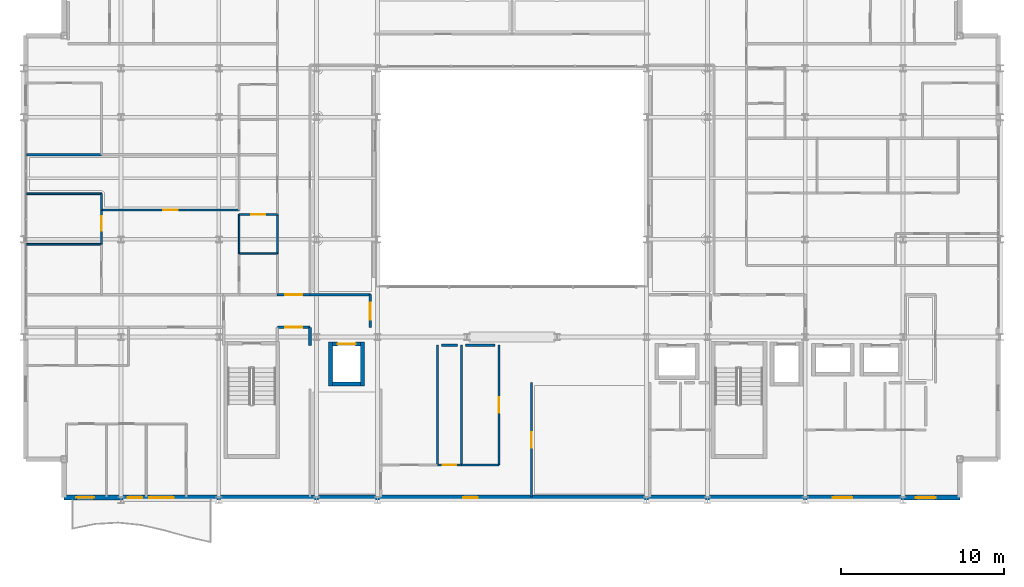
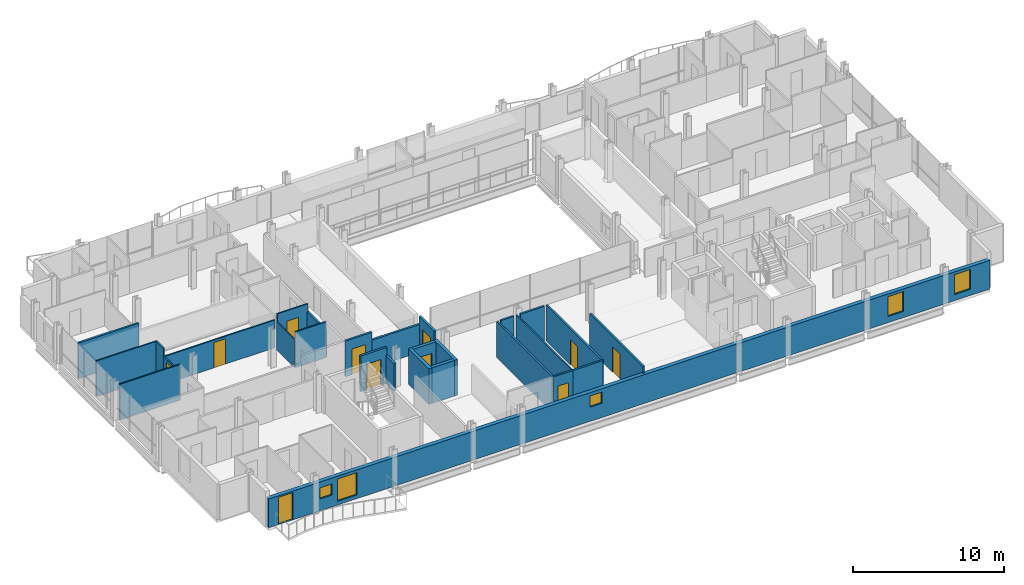
# One storey, part 34 of 41: 28 walls, 11 doors, 5 windows, 16 openings.
"""IFC4 building model written with IfcOpenShell, lengths in metres."""

from ifc_helpers import new_model, si_unit, direction, frame, frame_2d, origin, place, context, subcontext, project, spatial, rectangle, extrude, material, layer, layer_set, type_object, element, fill, save


model = new_model("IFC4")

# Units and contexts
model_context = context("Model", 3, precision=1e-05, world=origin(), true_north=direction((0.0, 1.0)))
body_context = subcontext(model_context, "Body", "Model", "MODEL_VIEW")
ifc_project = project(units=[si_unit("LENGTHUNIT", "METRE"), si_unit("AREAUNIT", "SQUARE_METRE"), si_unit("VOLUMEUNIT", "CUBIC_METRE"), si_unit("PLANEANGLEUNIT", "RADIAN"), si_unit("MASSUNIT", "GRAM", prefix="KILO")], contexts=[model_context])

# Site, building, storey
site_placement = place(None, origin())
site = spatial("IfcSite", under=ifc_project, at=site_placement, CompositionType="ELEMENT")
building_placement = place(site_placement, origin())
building = spatial("IfcBuilding", under=site, at=building_placement, Name="Brevholm Reach", CompositionType="ELEMENT")
storey_placement = place(building_placement, frame((0.0, 0.0, 157.300048828125)))
storey = spatial("IfcBuildingStorey", under=building, at=storey_placement, Name="L47", CompositionType="ELEMENT", Elevation=157.300048828125)

# Walls
ifc_material_1 = material(Name="Concrete C45/55", Category="concrete")
ifc_layer_1 = layer(ifc_material_1, 0.239990234375)
ifc_layer_set_1 = layer_set([ifc_layer_1], Name="Concrete C45/55")
wall_type_1 = type_object("IfcWallType", Name="WAL-COR-240", PredefinedType="SHEAR", material=ifc_layer_set_1)
for number, where, z_axis, x_axis, name in (
    (1, (18.8701171875, 7.0, 0.0), (0.0, 0.0, 1.0), (0.0, 1.0, 0.0), "L47 Lift FFL-1 Shaft Wall W"),
    (2, (20.830078125, 7.0, 0.0), (0.0, 0.0, 1.0), (0.0, 1.0, 0.0), "L47 Lift FFL-1 Shaft Wall E"),
):
    element("IfcWall", number, at=place(storey_placement, frame(where, z_axis=z_axis, x_axis=x_axis)), inside=storey, type_object=wall_type_1, Name=name, PredefinedType="SHEAR", context=body_context, shape_type="SweptSolid", body=[
        extrude(rectangle(XDim=2.699951171875, YDim=0.239990234375, at=frame_2d((1.35009765625, 0.0))), origin(), (0.0, 0.0, 1.0), 2.8798828125),
    ])
wall_1_placement = place(storey_placement, frame((18.989990234375, 7.1201171875, 0.0), z_axis=(0.0, 0.0, 1.0), x_axis=(1.0, 0.0, 0.0)))
element("IfcWall", 3, at=wall_1_placement, inside=storey, type_object=wall_type_1, Name="L47 Lift FFL-1 Shaft Wall S", PredefinedType="SHEAR", context=body_context, shape_type="SweptSolid", body=[
    extrude(rectangle(XDim=1.719970703125, YDim=0.239990234375, at=frame_2d((0.85986328125, 0.0))), origin(), (0.0, 0.0, 1.0), 2.8798828125),
])

# Wall, opening, door
wall_2_placement = place(storey_placement, frame((18.989990234375, 9.580078125, 0.0), z_axis=(0.0, 0.0, 1.0), x_axis=(1.0, 0.0, 0.0)))
wall_2 = element("IfcWall", 4, at=wall_2_placement, inside=storey, type_object=wall_type_1, Name="L47 Lift FFL-1 Shaft Wall N", PredefinedType="SHEAR", context=body_context, shape_type="SweptSolid", body=[
    extrude(rectangle(XDim=1.719970703125, YDim=0.239990234375, at=frame_2d((0.85986328125, 0.0))), origin(), (0.0, 0.0, 1.0), 2.8798828125),
])
opening_1_placement = place(wall_2_placement, frame((0.31005859375, 0.0, 0.0)))
opening_1 = element("IfcOpeningElement", 5, at=opening_1_placement, cuts=wall_2, Name="Opening LD-FFL-1", PredefinedType="OPENING", context=body_context, shape_type="SweptSolid", body=[
    extrude(rectangle(XDim=1.10009765625, YDim=2.06005859375, at=frame_2d((0.550048828125, 1.030029296875))), frame((0.0, 0.1298828125, 0.0), z_axis=(0.0, -1.0, 0.0), x_axis=(1.0, 0.0, 0.0)), (0.0, 0.0, 1.0), 0.260009765625),
])
ifc_material_2 = material(Name="Brushed Stainless Steel Fire-Rated Sliding Lift Door", Category="steel")
door_type_1 = type_object("IfcDoorType", Name="DOR-LFT-1100", OperationType="NOTDEFINED", PredefinedType="DOOR", material=ifc_material_2)
door_1_placement = place(opening_1_placement, origin())
door_1 = element("IfcDoor", 6, at=door_1_placement, inside=storey, type_object=door_type_1, Name="L47 Lift FFL-1 Sliding Landing Door", OperationType="SLIDING_TO_LEFT", OverallHeight=2.06005859375, OverallWidth=1.10009765625, PredefinedType="DOOR", context=body_context, shape_type="SweptSolid", body=[
    extrude(rectangle(XDim=1.10009765625, YDim=2.06005859375, at=frame_2d((0.550048828125, 1.030029296875))), frame((0.0, 0.02490234375, 0.0), z_axis=(0.0, -1.0, 0.0), x_axis=(1.0, 0.0, 0.0)), (0.0, 0.0, 1.0), 0.050048828125),
])
fill(opening_1, door_1)

# Wall, openings, door, windows
ifc_material_3 = material(Name="Concrete C40/50", Category="concrete")
ifc_layer_2 = layer(ifc_material_3, 0.300048828125)
ifc_layer_set_2 = layer_set([ifc_layer_2], Name="Concrete C40/50")
wall_type_2 = type_object("IfcWallType", Name="WAL-EXT-300", PredefinedType="STANDARD", material=ifc_layer_set_2)
wall_3_placement = place(storey_placement, frame((2.5, 0.14990234375, 0.0), z_axis=(0.0, 0.0, 1.0), x_axis=(1.0, 0.0, 0.0)))
wall_3 = element("IfcWall", 7, at=wall_3_placement, inside=storey, type_object=wall_type_2, Name="L47 Facade Wall WAL-L47-S", PredefinedType="STANDARD", context=body_context, shape_type="SweptSolid", body=[
    extrude(rectangle(XDim=55.0, YDim=0.300048828125, at=frame_2d((27.5, 0.0))), origin(), (0.0, 0.0, 1.0), 2.32177734375),
])
opening_2_placement = place(wall_3_placement, frame((0.75, 0.0, 0.0)))
opening_2 = element("IfcOpeningElement", 8, at=opening_2_placement, cuts=wall_3, Name="Opening BD-01", PredefinedType="OPENING", context=body_context, shape_type="SweptSolid", body=[
    extrude(rectangle(XDim=1.10009765625, YDim=2.199951171875, at=frame_2d((0.550048828125, 1.10009765625))), frame((0.0, 0.159912109375, 0.0), z_axis=(0.0, -1.0, 0.0), x_axis=(1.0, 0.0, 0.0)), (0.0, 0.0, 1.0), 0.320068359375),
])
opening_3_placement = place(wall_3_placement, frame((5.22998046875, 0.0, 0.302001953125)))
opening_3 = element("IfcOpeningElement", 9, at=opening_3_placement, cuts=wall_3, Name="Opening WN-05", PredefinedType="OPENING", context=body_context, shape_type="SweptSolid", body=[
    extrude(rectangle(XDim=1.5, YDim=1.800048828125, at=frame_2d((0.75, 0.89990234375))), frame((0.0, 0.159912109375, 0.0), z_axis=(0.0, -1.0, 0.0), x_axis=(1.0, 0.0, 0.0)), (0.0, 0.0, 1.0), 0.320068359375),
])
opening_4_placement = place(wall_3_placement, frame((24.5, 0.0, 1.14990234375)))
opening_4 = element("IfcOpeningElement", 10, at=opening_4_placement, cuts=wall_3, Name="Opening WN-09", PredefinedType="OPENING", context=body_context, shape_type="SweptSolid", body=[
    extrude(rectangle(XDim=0.89990234375, YDim=0.89990234375, at=frame_2d((0.449951171875, 0.449951171875))), frame((0.0, 0.159912109375, 0.0), z_axis=(0.0, -1.0, 0.0), x_axis=(1.0, 0.0, 0.0)), (0.0, 0.0, 1.0), 0.320068359375),
])
opening_5_placement = place(wall_3_placement, frame((47.199951171875, 0.0, 0.501953125)))
opening_5 = element("IfcOpeningElement", 11, at=opening_5_placement, cuts=wall_3, Name="Opening WN-08", PredefinedType="OPENING", context=body_context, shape_type="SweptSolid", body=[
    extrude(rectangle(XDim=1.199951171875, YDim=1.60009765625, at=frame_2d((0.60009765625, 0.800048828125))), frame((0.0, 0.159912109375, 0.0), z_axis=(0.0, -1.0, 0.0), x_axis=(1.0, 0.0, 0.0)), (0.0, 0.0, 1.0), 0.320068359375),
])
opening_6_placement = place(wall_3_placement, frame((52.300048828125, 0.0, 0.501953125)))
opening_6 = element("IfcOpeningElement", 12, at=opening_6_placement, cuts=wall_3, Name="Opening WN-08", PredefinedType="OPENING", context=body_context, shape_type="SweptSolid", body=[
    extrude(rectangle(XDim=1.199951171875, YDim=1.60009765625, at=frame_2d((0.60009765625, 0.800048828125))), frame((0.0, 0.159912109375, 0.0), z_axis=(0.0, -1.0, 0.0), x_axis=(1.0, 0.0, 0.0)), (0.0, 0.0, 1.0), 0.320068359375),
])
opening_7_placement = place(wall_3_placement, frame((3.914794921875, 0.0, 0.949951171875)))
opening_7 = element("IfcOpeningElement", 13, at=opening_7_placement, cuts=wall_3, Name="Opening WN-09", PredefinedType="OPENING", context=body_context, shape_type="SweptSolid", body=[
    extrude(rectangle(XDim=0.89990234375, YDim=0.89990234375, at=frame_2d((0.449951171875, 0.449951171875))), frame((0.0, 0.159912109375, 0.0), z_axis=(0.0, -1.0, 0.0), x_axis=(1.0, 0.0, 0.0)), (0.0, 0.0, 1.0), 0.320068359375),
])
ifc_material_4 = material(Name="Dark Anodised Aluminium and Triple-Glazed Glass", Category="aluminium")
door_type_2 = type_object("IfcDoorType", Name="DOR-BALC-1100", OperationType="NOTDEFINED", PredefinedType="DOOR", material=ifc_material_4)
door_2_placement = place(opening_2_placement, origin())
door_2 = element("IfcDoor", 14, at=door_2_placement, inside=storey, type_object=door_type_2, Name="L47 Exterior Door DOR-L47-BL-SW", OperationType="SINGLE_SWING_RIGHT", OverallHeight=2.199951171875, OverallWidth=1.10009765625, PredefinedType="DOOR", context=body_context, shape_type="SweptSolid", body=[
    extrude(rectangle(XDim=1.10009765625, YDim=2.199951171875, at=frame_2d((0.550048828125, 1.10009765625))), frame((0.0, 0.02490234375, 0.0), z_axis=(0.0, -1.0, 0.0), x_axis=(1.0, 0.0, 0.0)), (0.0, 0.0, 1.0), 0.050048828125),
])
fill(opening_2, door_2)
ifc_material_5 = material(Name="Dark Anodised Aluminium and Solar-Control IGU Glass", Category="aluminium")
window_type_1 = type_object("IfcWindowType", Name="WIN-POR-0900", PartitioningType="SINGLE_PANEL", PredefinedType="WINDOW", material=ifc_material_5)
window_1_placement = place(opening_4_placement, origin())
window_1 = element("IfcWindow", 15, at=window_1_placement, inside=storey, type_object=window_type_1, Name="L47 Window WIN-L47-S-POR", OverallHeight=0.89990234375, OverallWidth=0.89990234375, PartitioningType="SINGLE_PANEL", PredefinedType="WINDOW", context=body_context, shape_type="SweptSolid", body=[
    extrude(rectangle(XDim=0.89990234375, YDim=0.89990234375, at=frame_2d((0.449951171875, 0.449951171875))), frame((0.0, 0.030029296875, 0.0), z_axis=(0.0, -1.0, 0.0), x_axis=(1.0, 0.0, 0.0)), (0.0, 0.0, 1.0), 0.06005859375),
])
fill(opening_4, window_1)
window_2_placement = place(opening_7_placement, origin())
window_2 = element("IfcWindow", 16, at=window_2_placement, inside=storey, type_object=window_type_1, Name="L47 Bedroom Window 047", OverallHeight=0.89990234375, OverallWidth=0.89990234375, PartitioningType="SINGLE_PANEL", PredefinedType="WINDOW", context=body_context, shape_type="SweptSolid", body=[
    extrude(rectangle(XDim=0.89990234375, YDim=0.89990234375, at=frame_2d((0.449951171875, 0.449951171875))), frame((0.0, 0.030029296875, 0.0), z_axis=(0.0, -1.0, 0.0), x_axis=(1.0, 0.0, 0.0)), (0.0, 0.0, 1.0), 0.06005859375),
])
fill(opening_7, window_2)
ifc_material_6 = material(Name="Dark Anodised Aluminium and Solar-Control IGU Glass", Category="aluminium")
window_type_2 = type_object("IfcWindowType", Name="WIN-RES-1200", PartitioningType="SINGLE_PANEL", PredefinedType="WINDOW", material=ifc_material_6)
window_3_placement = place(opening_5_placement, origin())
window_3 = element("IfcWindow", 17, at=window_3_placement, inside=storey, type_object=window_type_2, Name="L47 Window WIN-L47-S-E1", OverallHeight=1.60009765625, OverallWidth=1.199951171875, PartitioningType="SINGLE_PANEL", PredefinedType="WINDOW", context=body_context, shape_type="SweptSolid", body=[
    extrude(rectangle(XDim=1.199951171875, YDim=1.60009765625, at=frame_2d((0.60009765625, 0.800048828125))), frame((0.0, 0.030029296875, 0.0), z_axis=(0.0, -1.0, 0.0), x_axis=(1.0, 0.0, 0.0)), (0.0, 0.0, 1.0), 0.06005859375),
])
fill(opening_5, window_3)
window_4_placement = place(opening_6_placement, origin())
window_4 = element("IfcWindow", 18, at=window_4_placement, inside=storey, type_object=window_type_2, Name="L47 Window WIN-L47-S-E2", OverallHeight=1.60009765625, OverallWidth=1.199951171875, PartitioningType="SINGLE_PANEL", PredefinedType="WINDOW", context=body_context, shape_type="SweptSolid", body=[
    extrude(rectangle(XDim=1.199951171875, YDim=1.60009765625, at=frame_2d((0.60009765625, 0.800048828125))), frame((0.0, 0.030029296875, 0.0), z_axis=(0.0, -1.0, 0.0), x_axis=(1.0, 0.0, 0.0)), (0.0, 0.0, 1.0), 0.06005859375),
])
fill(opening_6, window_4)
ifc_material_7 = material(Name="Dark Anodised Aluminium and Solar-Control IGU Glass", Category="aluminium")
window_type_3 = type_object("IfcWindowType", Name="WIN-RES-1500", PartitioningType="SINGLE_PANEL", PredefinedType="WINDOW", material=ifc_material_7)
window_5_placement = place(opening_3_placement, origin())
window_5 = element("IfcWindow", 19, at=window_5_placement, inside=storey, type_object=window_type_3, Name="L47 Window WIN-L47-S-W1", OverallHeight=1.800048828125, OverallWidth=1.5, PartitioningType="SINGLE_PANEL", PredefinedType="WINDOW", context=body_context, shape_type="SweptSolid", body=[
    extrude(rectangle(XDim=1.5, YDim=1.800048828125, at=frame_2d((0.75, 0.89990234375))), frame((0.0, 0.030029296875, 0.0), z_axis=(0.0, -1.0, 0.0), x_axis=(1.0, 0.0, 0.0)), (0.0, 0.0, 1.0), 0.06005859375),
])
fill(opening_3, window_5)

# Walls
ifc_material_8 = material(Name="Moisture-Resistant Acoustic Gypsum Stud Partition 100 mm", Category="gypsum")
ifc_layer_3 = layer(ifc_material_8, 0.10009765625)
ifc_layer_set_3 = layer_set([ifc_layer_3], Name="Moisture-Resistant Acoustic Gypsum Stud Partition 100 mm")
wall_type_3 = type_object("IfcWallType", Name="WAL-PRT-100", PredefinedType="PARTITIONING", material=ifc_layer_set_3)
wall_4_placement = place(storey_placement, frame((26.89990234375, 2.154052734375, 0.0), z_axis=(0.0, 0.0, 1.0), x_axis=(0.0, 1.0, 0.0)))
element("IfcWall", 20, at=wall_4_placement, inside=storey, type_object=wall_type_3, Name="L47 Internal Partition 009", PredefinedType="PARTITIONING", context=body_context, shape_type="SweptSolid", body=[
    extrude(rectangle(XDim=7.345947265625, YDim=0.10009765625, at=frame_2d((3.6728515625, 0.0))), origin(), (0.0, 0.0, 1.0), 2.8798828125),
])
wall_5_placement = place(storey_placement, frame((13.25, 15.1201171875, 0.0), z_axis=(0.0, 0.0, 1.0), x_axis=(1.0, 0.0, 0.0)))
element("IfcWall", 21, at=wall_5_placement, inside=storey, type_object=wall_type_3, Name="L47 Internal Partition 079", PredefinedType="PARTITIONING", context=body_context, shape_type="SweptSolid", body=[
    extrude(rectangle(XDim=2.345947265625, YDim=0.10009765625, at=frame_2d((1.1728515625, 0.0))), origin(), (0.0, 0.0, 1.0), 2.8798828125),
])

# Wall, opening, door
wall_6_placement = place(storey_placement, frame((13.25, 17.528076171875, 0.0), z_axis=(0.0, 0.0, 1.0), x_axis=(1.0, 0.0, 0.0)))
wall_6 = element("IfcWall", 22, at=wall_6_placement, inside=storey, type_object=wall_type_3, Name="L47 Internal Partition 081", PredefinedType="PARTITIONING", context=body_context, shape_type="SweptSolid", body=[
    extrude(rectangle(XDim=2.345947265625, YDim=0.10009765625, at=frame_2d((1.1728515625, 0.0))), origin(), (0.0, 0.0, 1.0), 2.8798828125),
])
opening_8_placement = place(wall_6_placement, frame((0.73291015625, 0.0, 0.0)))
opening_8 = element("IfcOpeningElement", 23, at=opening_8_placement, cuts=wall_6, Name="Opening ID-01", PredefinedType="OPENING", context=body_context, shape_type="SweptSolid", body=[
    extrude(rectangle(XDim=0.8798828125, YDim=2.0400390625, at=frame_2d((0.43994140625, 1.02001953125))), frame((0.0, 0.06005859375, 0.0), z_axis=(0.0, -1.0, 0.0), x_axis=(1.0, 0.0, 0.0)), (0.0, 0.0, 1.0), 0.1201171875),
])
ifc_material_9 = material(Name="Lacquered Ash Solid-Core Acoustic Internal Door", Category="timber")
door_type_3 = type_object("IfcDoorType", Name="DOR-INT-880", OperationType="NOTDEFINED", PredefinedType="DOOR", material=ifc_material_9)
door_3_placement = place(opening_8_placement, origin())
door_3 = element("IfcDoor", 24, at=door_3_placement, inside=storey, type_object=door_type_3, Name="L47 Internal Door 037", OperationType="SINGLE_SWING_LEFT", OverallHeight=2.0400390625, OverallWidth=0.8798828125, PredefinedType="DOOR", context=body_context, shape_type="SweptSolid", body=[
    extrude(rectangle(XDim=0.8798828125, YDim=2.0400390625, at=frame_2d((0.43994140625, 1.02001953125))), frame((0.0, 0.02490234375, 0.0), z_axis=(0.0, -1.0, 0.0), x_axis=(1.0, 0.0, 0.0)), (0.0, 0.0, 1.0), 0.050048828125),
])
fill(opening_8, door_3)

# Walls
wall_7_placement = place(storey_placement, frame((13.25, 15.1240234375, 0.0), z_axis=(0.0, 0.0, 1.0), x_axis=(0.0, 1.0, 0.0)))
element("IfcWall", 25, at=wall_7_placement, inside=storey, type_object=wall_type_3, Name="L47 Internal Partition 082", PredefinedType="PARTITIONING", context=body_context, shape_type="SweptSolid", body=[
    extrude(rectangle(XDim=2.404052734375, YDim=0.10009765625, at=frame_2d((1.2021484375, 0.0))), origin(), (0.0, 0.0, 1.0), 2.24267578125),
])
wall_8_placement = place(storey_placement, frame((0.199951171875, 15.699951171875, 0.0), z_axis=(0.0, 0.0, 1.0), x_axis=(1.0, 0.0, 0.0)))
element("IfcWall", 26, at=wall_8_placement, inside=storey, type_object=wall_type_3, Name="L47 Internal Partition 083", PredefinedType="PARTITIONING", context=body_context, shape_type="SweptSolid", body=[
    extrude(rectangle(XDim=4.60009765625, YDim=0.10009765625, at=frame_2d((2.300048828125, 0.0))), origin(), (0.0, 0.0, 1.0), 2.8798828125),
])
wall_9_placement = place(storey_placement, frame((4.800048828125, 17.788818359375, 0.0), z_axis=(0.0, 0.0, 1.0), x_axis=(0.0, 1.0, 0.0)))
element("IfcWall", 27, at=wall_9_placement, inside=storey, type_object=wall_type_3, Name="L47 Internal Partition 085", PredefinedType="PARTITIONING", context=body_context, shape_type="SweptSolid", body=[
    extrude(rectangle(XDim=1.01123046875, YDim=0.10009765625, at=frame_2d((0.505615234375, 0.0))), origin(), (0.0, 0.0, 1.0), 2.8798828125),
])
wall_10_placement = place(storey_placement, frame((0.199951171875, 18.800048828125, 0.0), z_axis=(0.0, 0.0, 1.0), x_axis=(1.0, 0.0, 0.0)))
element("IfcWall", 28, at=wall_10_placement, inside=storey, type_object=wall_type_3, Name="L47 Internal Partition 086", PredefinedType="PARTITIONING", context=body_context, shape_type="SweptSolid", body=[
    extrude(rectangle(XDim=4.60009765625, YDim=0.10009765625, at=frame_2d((2.300048828125, 0.0))), origin(), (0.0, 0.0, 1.0), 2.8798828125),
])

# Wall, opening, door
wall_11_placement = place(storey_placement, frame((4.800048828125, 15.7041015625, 0.0), z_axis=(0.0, 0.0, 1.0), x_axis=(0.0, 1.0, 0.0)))
wall_11 = element("IfcWall", 29, at=wall_11_placement, inside=storey, type_object=wall_type_3, Name="L47 Internal Partition 087", PredefinedType="PARTITIONING", context=body_context, shape_type="SweptSolid", body=[
    extrude(rectangle(XDim=2.103271484375, YDim=0.10009765625, at=frame_2d((1.0517578125, 0.0))), origin(), (0.0, 0.0, 1.0), 2.24267578125),
])
opening_9_placement = place(wall_11_placement, frame((0.831787109375, 0.0, 0.0)))
opening_9 = element("IfcOpeningElement", 30, at=opening_9_placement, cuts=wall_11, Name="Opening ID-01", PredefinedType="OPENING", context=body_context, shape_type="SweptSolid", body=[
    extrude(rectangle(XDim=0.8798828125, YDim=2.0400390625, at=frame_2d((0.43994140625, 1.02001953125))), frame((0.0, 0.06005859375, 0.0), z_axis=(0.0, -1.0, 0.0), x_axis=(1.0, 0.0, 0.0)), (0.0, 0.0, 1.0), 0.1201171875),
])
door_4_placement = place(opening_9_placement, origin())
door_4 = element("IfcDoor", 31, at=door_4_placement, inside=storey, type_object=door_type_3, Name="L47 Internal Door 039", OperationType="SINGLE_SWING_LEFT", OverallHeight=2.0400390625, OverallWidth=0.8798828125, PredefinedType="DOOR", context=body_context, shape_type="SweptSolid", body=[
    extrude(rectangle(XDim=0.8798828125, YDim=2.0400390625, at=frame_2d((0.43994140625, 1.02001953125))), frame((0.0, 0.02490234375, 0.0), z_axis=(0.0, -1.0, 0.0), x_axis=(1.0, 0.0, 0.0)), (0.0, 0.0, 1.0), 0.050048828125),
])
fill(opening_9, door_4)

wall_12_placement = place(storey_placement, frame((4.803955078125, 17.800048828125, 0.0), z_axis=(0.0, 0.0, 1.0), x_axis=(1.0, 0.0, 0.0)))
wall_12 = element("IfcWall", 32, at=wall_12_placement, inside=storey, type_object=wall_type_3, Name="L47 Internal Partition 088", PredefinedType="PARTITIONING", context=body_context, shape_type="SweptSolid", body=[
    extrude(rectangle(XDim=8.446044921875, YDim=0.10009765625, at=frame_2d((4.22314453125, 0.0))), origin(), (0.0, 0.0, 1.0), 2.24267578125),
])
opening_10_placement = place(wall_12_placement, frame((3.782958984375, 0.0, 0.0)))
opening_10 = element("IfcOpeningElement", 33, at=opening_10_placement, cuts=wall_12, Name="Opening ID-01", PredefinedType="OPENING", context=body_context, shape_type="SweptSolid", body=[
    extrude(rectangle(XDim=0.8798828125, YDim=2.0400390625, at=frame_2d((0.43994140625, 1.02001953125))), frame((0.0, 0.06005859375, 0.0), z_axis=(0.0, -1.0, 0.0), x_axis=(1.0, 0.0, 0.0)), (0.0, 0.0, 1.0), 0.1201171875),
])
door_5_placement = place(opening_10_placement, origin())
door_5 = element("IfcDoor", 34, at=door_5_placement, inside=storey, type_object=door_type_3, Name="L47 Internal Door 040", OperationType="SINGLE_SWING_RIGHT", OverallHeight=2.0400390625, OverallWidth=0.8798828125, PredefinedType="DOOR", context=body_context, shape_type="SweptSolid", body=[
    extrude(rectangle(XDim=0.8798828125, YDim=2.0400390625, at=frame_2d((0.43994140625, 1.02001953125))), frame((0.0, 0.02490234375, 0.0), z_axis=(0.0, -1.0, 0.0), x_axis=(1.0, 0.0, 0.0)), (0.0, 0.0, 1.0), 0.050048828125),
])
fill(opening_10, door_5)

ifc_material_10 = material(Name="Twin-Stud Acoustic Fire-Rated Gypsum Partition 140 mm", Category="gypsum")
ifc_layer_4 = layer(ifc_material_10, 0.139892578125)
ifc_layer_set_4 = layer_set([ifc_layer_4], Name="Twin-Stud Acoustic Fire-Rated Gypsum Partition 140 mm")
wall_type_4 = type_object("IfcWallType", Name="WAL-PRT-140", PredefinedType="PARTITIONING", material=ifc_layer_set_4)
wall_13_placement = place(storey_placement, frame((29.199951171875, 2.142578125, 0.0), z_axis=(0.0, 0.0, 1.0), x_axis=(0.0, 1.0, 0.0)))
wall_13 = element("IfcWall", 35, at=wall_13_placement, inside=storey, type_object=wall_type_4, Name="L47 Internal Partition 001", PredefinedType="PARTITIONING", context=body_context, shape_type="SweptSolid", body=[
    extrude(rectangle(XDim=7.36865234375, YDim=0.139892578125, at=frame_2d((3.684326171875, 0.0))), origin(), (0.0, 0.0, 1.0), 2.8798828125),
])
opening_11_placement = place(wall_13_placement, frame((3.209228515625, 0.0, 0.0)))
opening_11 = element("IfcOpeningElement", 36, at=opening_11_placement, cuts=wall_13, Name="Opening ID-30", PredefinedType="OPENING", context=body_context, shape_type="SweptSolid", body=[
    extrude(rectangle(XDim=0.949951171875, YDim=2.050048828125, at=frame_2d((0.47509765625, 1.02490234375))), frame((0.0, 0.079833984375, 0.0), z_axis=(0.0, -1.0, 0.0), x_axis=(1.0, 0.0, 0.0)), (0.0, 0.0, 1.0), 0.159912109375),
])
ifc_material_11 = material(Name="European Oak Veneered Solid-Core Fire Entrance Door", Category="timber")
door_type_4 = type_object("IfcDoorType", Name="DOR-FLT-FD30S", OperationType="NOTDEFINED", PredefinedType="DOOR", material=ifc_material_11)
door_6_placement = place(opening_11_placement, origin())
door_6 = element("IfcDoor", 37, at=door_6_placement, inside=storey, type_object=door_type_4, Name="L47 Internal Door 001", OperationType="SINGLE_SWING_LEFT", OverallHeight=2.050048828125, OverallWidth=0.949951171875, PredefinedType="DOOR", context=body_context, shape_type="SweptSolid", body=[
    extrude(rectangle(XDim=0.949951171875, YDim=2.050048828125, at=frame_2d((0.47509765625, 1.02490234375))), frame((0.0, 0.02490234375, 0.0), z_axis=(0.0, -1.0, 0.0), x_axis=(1.0, 0.0, 0.0)), (0.0, 0.0, 1.0), 0.050048828125),
])
fill(opening_11, door_6)

wall_14_placement = place(storey_placement, frame((31.199951171875, 0.179931640625, 0.0), z_axis=(0.0, 0.0, 1.0), x_axis=(0.0, 1.0, 0.0)))
wall_14 = element("IfcWall", 38, at=wall_14_placement, inside=storey, type_object=wall_type_4, Name="L47 Internal Partition 002", PredefinedType="PARTITIONING", context=body_context, shape_type="SweptSolid", body=[
    extrude(rectangle(XDim=7.03125, YDim=0.139892578125, at=frame_2d((3.515625, 0.0))), origin(), (0.0, 0.0, 1.0), 2.8798828125),
])
opening_12_placement = place(wall_14_placement, frame((3.04052734375, 0.0, 0.0)))
opening_12 = element("IfcOpeningElement", 39, at=opening_12_placement, cuts=wall_14, Name="Opening ID-30", PredefinedType="OPENING", context=body_context, shape_type="SweptSolid", body=[
    extrude(rectangle(XDim=0.949951171875, YDim=2.050048828125, at=frame_2d((0.47509765625, 1.02490234375))), frame((0.0, 0.079833984375, 0.0), z_axis=(0.0, -1.0, 0.0), x_axis=(1.0, 0.0, 0.0)), (0.0, 0.0, 1.0), 0.159912109375),
])
door_7_placement = place(opening_12_placement, origin())
door_7 = element("IfcDoor", 40, at=door_7_placement, inside=storey, type_object=door_type_4, Name="L47 Internal Door 002", OperationType="SINGLE_SWING_RIGHT", OverallHeight=2.050048828125, OverallWidth=0.949951171875, PredefinedType="DOOR", context=body_context, shape_type="SweptSolid", body=[
    extrude(rectangle(XDim=0.949951171875, YDim=2.050048828125, at=frame_2d((0.47509765625, 1.02490234375))), frame((0.0, 0.02490234375, 0.0), z_axis=(0.0, -1.0, 0.0), x_axis=(1.0, 0.0, 0.0)), (0.0, 0.0, 1.0), 0.050048828125),
])
fill(opening_12, door_7)

wall_15_placement = place(storey_placement, frame((25.41259765625, 2.14990234375, 0.0), z_axis=(0.0, 0.0, 1.0), x_axis=(1.0, 0.0, 0.0)))
wall_15 = element("IfcWall", 41, at=wall_15_placement, inside=storey, type_object=wall_type_4, Name="L47 Internal Partition 004", PredefinedType="PARTITIONING", context=body_context, shape_type="SweptSolid", body=[
    extrude(rectangle(XDim=1.498779296875, YDim=0.139892578125, at=frame_2d((0.74951171875, 0.0))), origin(), (0.0, 0.0, 1.0), 2.8798828125),
])
opening_13_placement = place(wall_15_placement, frame((0.33935546875, 0.0, 0.0)))
opening_13 = element("IfcOpeningElement", 42, at=opening_13_placement, cuts=wall_15, Name="Opening ID-02", PredefinedType="OPENING", context=body_context, shape_type="SweptSolid", body=[
    extrude(rectangle(XDim=0.820068359375, YDim=2.02001953125, at=frame_2d((0.41015625, 1.010009765625))), frame((0.0, 0.079833984375, 0.0), z_axis=(0.0, -1.0, 0.0), x_axis=(1.0, 0.0, 0.0)), (0.0, 0.0, 1.0), 0.159912109375),
])
ifc_material_12 = material(Name="Moisture-Resistant Painted Timber Fire-Rated Riser and Service Door", Category="wood")
door_type_5 = type_object("IfcDoorType", Name="DOR-SRV-820", OperationType="NOTDEFINED", PredefinedType="DOOR", material=ifc_material_12)
door_8_placement = place(opening_13_placement, origin())
door_8 = element("IfcDoor", 43, at=door_8_placement, inside=storey, type_object=door_type_5, Name="L47 Internal Door 004", OperationType="SINGLE_SWING_RIGHT", OverallHeight=2.02001953125, OverallWidth=0.820068359375, PredefinedType="DOOR", context=body_context, shape_type="SweptSolid", body=[
    extrude(rectangle(XDim=0.820068359375, YDim=2.02001953125, at=frame_2d((0.41015625, 1.010009765625))), frame((0.0, 0.02490234375, 0.0), z_axis=(0.0, -1.0, 0.0), x_axis=(1.0, 0.0, 0.0)), (0.0, 0.0, 1.0), 0.050048828125),
])
fill(opening_13, door_8)

# Walls
wall_16_placement = place(storey_placement, frame((26.892578125, 2.14990234375, 0.0), z_axis=(0.0, 0.0, 1.0), x_axis=(1.0, 0.0, 0.0)))
element("IfcWall", 44, at=wall_16_placement, inside=storey, type_object=wall_type_4, Name="L47 Internal Partition 005", PredefinedType="PARTITIONING", context=body_context, shape_type="SweptSolid", body=[
    extrude(rectangle(XDim=2.303466796875, YDim=0.139892578125, at=frame_2d((1.15185546875, 0.0))), origin(), (0.0, 0.0, 1.0), 2.8798828125),
])
wall_17_placement = place(storey_placement, frame((25.419921875, 2.154052734375, 0.0), z_axis=(0.0, 0.0, 1.0), x_axis=(0.0, 1.0, 0.0)))
element("IfcWall", 45, at=wall_17_placement, inside=storey, type_object=wall_type_4, Name="L47 Internal Partition 007", PredefinedType="PARTITIONING", context=body_context, shape_type="SweptSolid", body=[
    extrude(rectangle(XDim=7.345947265625, YDim=0.139892578125, at=frame_2d((3.6728515625, 0.0))), origin(), (0.0, 0.0, 1.0), 2.8798828125),
])
wall_18_placement = place(storey_placement, frame((15.60009765625, 15.11279296875, 0.0), z_axis=(0.0, 0.0, 1.0), x_axis=(0.0, 1.0, 0.0)))
element("IfcWall", 46, at=wall_18_placement, inside=storey, type_object=wall_type_4, Name="L47 Internal Partition 042", PredefinedType="PARTITIONING", context=body_context, shape_type="SweptSolid", body=[
    extrude(rectangle(XDim=2.426513671875, YDim=0.139892578125, at=frame_2d((1.21337890625, 0.0))), origin(), (0.0, 0.0, 1.0), 2.24267578125),
])
wall_19_placement = place(storey_placement, frame((0.199951171875, 21.199951171875, 0.0), z_axis=(0.0, 0.0, 1.0), x_axis=(1.0, 0.0, 0.0)))
element("IfcWall", 47, at=wall_19_placement, inside=storey, type_object=wall_type_4, Name="L47 Internal Partition 090", PredefinedType="PARTITIONING", context=body_context, shape_type="SweptSolid", body=[
    extrude(rectangle(XDim=4.611328125, YDim=0.139892578125, at=frame_2d((2.3056640625, 0.0))), origin(), (0.0, 0.0, 1.0), 2.8798828125),
])
wall_20_placement = place(storey_placement, frame((25.659912109375, 9.5, 0.0), z_axis=(0.0, 0.0, 1.0), x_axis=(1.0, 0.0, 0.0)))
element("IfcWall", 48, at=wall_20_placement, inside=storey, type_object=wall_type_4, Name="L47 Internal Partition 132", PredefinedType="PARTITIONING", context=body_context, shape_type="SweptSolid", body=[
    extrude(rectangle(XDim=1.0, YDim=0.139892578125, at=frame_2d((0.5, 0.0))), origin(), (0.0, 0.0, 1.0), 2.8798828125),
])
wall_21_placement = place(storey_placement, frame((27.139892578125, 9.5, 0.0), z_axis=(0.0, 0.0, 1.0), x_axis=(1.0, 0.0, 0.0)))
element("IfcWall", 49, at=wall_21_placement, inside=storey, type_object=wall_type_4, Name="L47 Internal Partition 133", PredefinedType="PARTITIONING", context=body_context, shape_type="SweptSolid", body=[
    extrude(rectangle(XDim=1.820068359375, YDim=0.139892578125, at=frame_2d((0.91015625, 0.0))), origin(), (0.0, 0.0, 1.0), 2.8798828125),
])
ifc_material_13 = material(Name="Twin-Frame Fire-Rated Gypsum Board and Mineral Wool 160 mm", Category="gypsum")
ifc_layer_5 = layer(ifc_material_13, 0.159912109375)
ifc_layer_set_5 = layer_set([ifc_layer_5], Name="Twin-Frame Fire-Rated Gypsum Board and Mineral Wool 160 mm")
wall_type_5 = type_object("IfcWallType", Name="WAL-PRT-160", PredefinedType="PARTITIONING", material=ifc_layer_set_5)
wall_22_placement = place(storey_placement, frame((17.60009765625, 9.48876953125, 0.0), z_axis=(0.0, 0.0, 1.0), x_axis=(0.0, 1.0, 0.0)))
element("IfcWall", 50, at=wall_22_placement, inside=storey, type_object=wall_type_5, Name="L47 Internal Partition 016", PredefinedType="PARTITIONING", context=body_context, shape_type="SweptSolid", body=[
    extrude(rectangle(XDim=1.111328125, YDim=0.159912109375, at=frame_2d((0.5556640625, 0.0))), origin(), (0.0, 0.0, 1.0), 2.24267578125),
])

# Wall, opening, door
wall_23_placement = place(storey_placement, frame((15.60009765625, 10.60009765625, 0.0), z_axis=(0.0, 0.0, 1.0), x_axis=(1.0, 0.0, 0.0)))
wall_23 = element("IfcWall", 51, at=wall_23_placement, inside=storey, type_object=wall_type_5, Name="L47 Internal Partition 017", PredefinedType="PARTITIONING", context=body_context, shape_type="SweptSolid", body=[
    extrude(rectangle(XDim=2.0, YDim=0.159912109375, at=frame_2d((1.0, 0.0))), origin(), (0.0, 0.0, 1.0), 2.8798828125),
])
opening_14_placement = place(wall_23_placement, frame((0.47509765625, 0.0, 0.0)))
opening_14 = element("IfcOpeningElement", 52, at=opening_14_placement, cuts=wall_23, Name="Opening FD-01", PredefinedType="OPENING", context=body_context, shape_type="SweptSolid", body=[
    extrude(rectangle(XDim=1.050048828125, YDim=2.06005859375, at=frame_2d((0.52490234375, 1.030029296875))), frame((0.0, 0.08984375, 0.0), z_axis=(0.0, -1.0, 0.0), x_axis=(1.0, 0.0, 0.0)), (0.0, 0.0, 1.0), 0.179931640625),
])
ifc_material_14 = material(Name="Hardwood-Lipped Steel-Core Fire and Smoke Door", Category="steel")
door_type_6 = type_object("IfcDoorType", Name="DOR-INT-FD60S", OperationType="NOTDEFINED", PredefinedType="DOOR", material=ifc_material_14)
door_9_placement = place(opening_14_placement, origin())
door_9 = element("IfcDoor", 53, at=door_9_placement, inside=storey, type_object=door_type_6, Name="L47 Internal Door 007", OperationType="SINGLE_SWING_LEFT", OverallHeight=2.06005859375, OverallWidth=1.050048828125, PredefinedType="DOOR", context=body_context, shape_type="SweptSolid", body=[
    extrude(rectangle(XDim=1.050048828125, YDim=2.06005859375, at=frame_2d((0.52490234375, 1.030029296875))), frame((0.0, 0.02490234375, 0.0), z_axis=(0.0, -1.0, 0.0), x_axis=(1.0, 0.0, 0.0)), (0.0, 0.0, 1.0), 0.050048828125),
])
fill(opening_14, door_9)

wall_24_placement = place(storey_placement, frame((21.300048828125, 10.588623046875, 0.0), z_axis=(0.0, 0.0, 1.0), x_axis=(0.0, 1.0, 0.0)))
wall_24 = element("IfcWall", 54, at=wall_24_placement, inside=storey, type_object=wall_type_5, Name="L47 Internal Partition 027", PredefinedType="PARTITIONING", context=body_context, shape_type="SweptSolid", body=[
    extrude(rectangle(XDim=2.011474609375, YDim=0.159912109375, at=frame_2d((1.005859375, 0.0))), origin(), (0.0, 0.0, 1.0), 2.8798828125),
])
opening_15_placement = place(wall_24_placement, frame((0.480712890625, 0.0, 0.0)))
opening_15 = element("IfcOpeningElement", 55, at=opening_15_placement, cuts=wall_24, Name="Opening FD-01", PredefinedType="OPENING", context=body_context, shape_type="SweptSolid", body=[
    extrude(rectangle(XDim=1.050048828125, YDim=2.06005859375, at=frame_2d((0.52490234375, 1.030029296875))), frame((0.0, 0.08984375, 0.0), z_axis=(0.0, -1.0, 0.0), x_axis=(1.0, 0.0, 0.0)), (0.0, 0.0, 1.0), 0.179931640625),
])
door_10_placement = place(opening_15_placement, origin())
door_10 = element("IfcDoor", 56, at=door_10_placement, inside=storey, type_object=door_type_6, Name="L47 Internal Door 013", OperationType="SINGLE_SWING_LEFT", OverallHeight=2.06005859375, OverallWidth=1.050048828125, PredefinedType="DOOR", context=body_context, shape_type="SweptSolid", body=[
    extrude(rectangle(XDim=1.050048828125, YDim=2.06005859375, at=frame_2d((0.52490234375, 1.030029296875))), frame((0.0, 0.02490234375, 0.0), z_axis=(0.0, -1.0, 0.0), x_axis=(1.0, 0.0, 0.0)), (0.0, 0.0, 1.0), 0.050048828125),
])
fill(opening_15, door_10)

wall_25_placement = place(storey_placement, frame((15.588623046875, 12.60009765625, 0.0), z_axis=(0.0, 0.0, 1.0), x_axis=(1.0, 0.0, 0.0)))
wall_25 = element("IfcWall", 57, at=wall_25_placement, inside=storey, type_object=wall_type_5, Name="L47 Internal Partition 028", PredefinedType="PARTITIONING", context=body_context, shape_type="SweptSolid", body=[
    extrude(rectangle(XDim=2.022705078125, YDim=0.159912109375, at=frame_2d((1.01123046875, 0.0))), origin(), (0.0, 0.0, 1.0), 2.8798828125),
])
opening_16_placement = place(wall_25_placement, frame((0.486328125, 0.0, 0.0)))
opening_16 = element("IfcOpeningElement", 58, at=opening_16_placement, cuts=wall_25, Name="Opening FD-01", PredefinedType="OPENING", context=body_context, shape_type="SweptSolid", body=[
    extrude(rectangle(XDim=1.050048828125, YDim=2.06005859375, at=frame_2d((0.52490234375, 1.030029296875))), frame((0.0, 0.08984375, 0.0), z_axis=(0.0, -1.0, 0.0), x_axis=(1.0, 0.0, 0.0)), (0.0, 0.0, 1.0), 0.179931640625),
])
door_11_placement = place(opening_16_placement, origin())
door_11 = element("IfcDoor", 59, at=door_11_placement, inside=storey, type_object=door_type_6, Name="L47 Internal Door 014", OperationType="SINGLE_SWING_RIGHT", OverallHeight=2.06005859375, OverallWidth=1.050048828125, PredefinedType="DOOR", context=body_context, shape_type="SweptSolid", body=[
    extrude(rectangle(XDim=1.050048828125, YDim=2.06005859375, at=frame_2d((0.52490234375, 1.030029296875))), frame((0.0, 0.02490234375, 0.0), z_axis=(0.0, -1.0, 0.0), x_axis=(1.0, 0.0, 0.0)), (0.0, 0.0, 1.0), 0.050048828125),
])
fill(opening_16, door_11)

# Wall
wall_26_placement = place(storey_placement, frame((17.5927734375, 12.60009765625, 0.0), z_axis=(0.0, 0.0, 1.0), x_axis=(1.0, 0.0, 0.0)))
element("IfcWall", 60, at=wall_26_placement, inside=storey, type_object=wall_type_5, Name="L47 Internal Partition 033", PredefinedType="PARTITIONING", context=body_context, shape_type="SweptSolid", body=[
    extrude(rectangle(XDim=3.707275390625, YDim=0.159912109375, at=frame_2d((1.853515625, 0.0))), origin(), (0.0, 0.0, 1.0), 2.24267578125),
])

save(model, "model.ifc")
